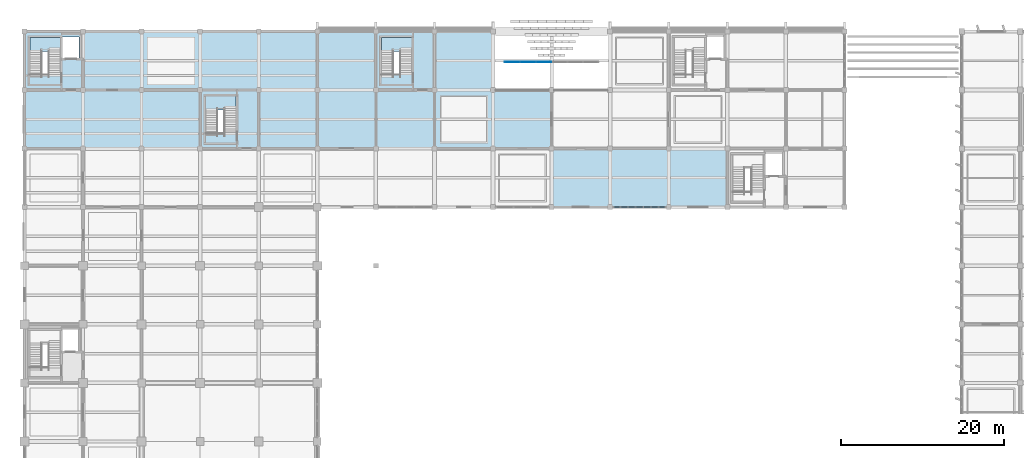
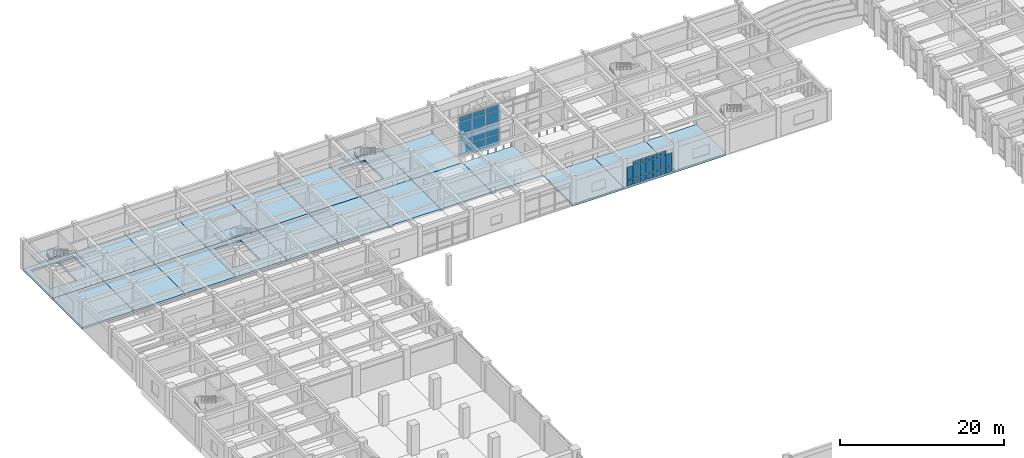
# One storey, part 46 of 81: 31 plates, 23 slabs, 5 elements without a shape of their own.
"""IFC4 building model written with IfcOpenShell, lengths in metres."""

from ifc_helpers import new_model, si_unit, direction, frame, origin, origin_2d, place, context, subcontext, project, spatial, polyline, rectangle, outline, extrude, material, layer, layer_set, type_object, element, aggregate, save


model = new_model("IFC4")

# Units and contexts
model_context = context("Model", 3, precision=1e-05, world=origin(), true_north=direction((0.0, 1.0)))
body_context = subcontext(model_context, "Body", "Model", "MODEL_VIEW")
ifc_project = project(units=[si_unit("LENGTHUNIT", "METRE"), si_unit("AREAUNIT", "SQUARE_METRE"), si_unit("VOLUMEUNIT", "CUBIC_METRE"), si_unit("PLANEANGLEUNIT", "RADIAN"), si_unit("MASSUNIT", "GRAM", prefix="KILO")], contexts=[model_context])

# Site, building, storey
site_placement = place(None, origin())
site = spatial("IfcSite", under=ifc_project, at=site_placement, CompositionType="ELEMENT")
building_placement = place(site_placement, origin())
building = spatial("IfcBuilding", under=site, at=building_placement, Name="Kavelor Marine Aquarium", CompositionType="ELEMENT")
storey_placement = place(building_placement, frame((0.0, 0.0, 4.679931640625)))
storey = spatial("IfcBuildingStorey", under=building, at=storey_placement, Name="L01", CompositionType="ELEMENT", Elevation=4.679931640625)

# Curtain wall, plates
ifc_material_1 = material(Name="Thermally Broken Aluminium and Low-E Glass", Category="aluminium")
ifc_layer_1 = layer(ifc_material_1, 0.283935546875)
ifc_layer_set_1 = layer_set([ifc_layer_1], Name="CW-SYS18")
curtain_wall_type_1 = type_object("IfcCurtainWallType", Name="CW-SYS18", PredefinedType="USERDEFINED", material=ifc_layer_set_1)
curtain_wall_1_placement = place(storey_placement, origin())
curtain_wall_1 = element("IfcCurtainWall", 1, at=curtain_wall_1_placement, inside=storey, type_object=curtain_wall_type_1, Name="cw:portal:north:screen", ObjectType="Curtain Wall", PredefinedType="USERDEFINED")
ifc_material_2 = material(Name="Solar-Control Double Low-E Glazing", Category="glass")
ifc_layer_2 = layer(ifc_material_2, 0.035888671875)
ifc_layer_set_2 = layer_set([ifc_layer_2], Name="CWP-06")
plate_type_1 = type_object("IfcPlateType", Name="CWP-06", PredefinedType="CURTAIN_PANEL", material=ifc_layer_set_2)
plate_1_placement = place(storey_placement, frame((63.181640625, 107.0400390625, -1.925048828125), z_axis=(0.0, 0.0, 1.0), x_axis=(1.0, 0.0, 0.0)))
plate_1 = element("IfcPlate", 2, at=plate_1_placement, type_object=plate_type_1, Name="CW18 panel 1.1", PredefinedType="CURTAIN_PANEL", context=body_context, shape_type="SweptSolid", body=[
    extrude(rectangle(XDim=1.84326171875, YDim=0.035888671875, at=origin_2d()), origin(), (0.0, 0.0, 1.0), 1.6875),
])
plate_2_placement = place(storey_placement, frame((63.181640625, 107.0400390625, -0.16259765625), z_axis=(0.0, 0.0, 1.0), x_axis=(1.0, 0.0, 0.0)))
plate_2 = element("IfcPlate", 3, at=plate_2_placement, type_object=plate_type_1, Name="CW18 panel 1.2", PredefinedType="CURTAIN_PANEL", context=body_context, shape_type="SweptSolid", body=[
    extrude(rectangle(XDim=1.84326171875, YDim=0.035888671875, at=origin_2d()), origin(), (0.0, 0.0, 1.0), 1.72509765625),
])
plate_3_placement = place(storey_placement, frame((63.181640625, 107.0400390625, 1.637451171875), z_axis=(0.0, 0.0, 1.0), x_axis=(1.0, 0.0, 0.0)))
plate_3 = element("IfcPlate", 4, at=plate_3_placement, type_object=plate_type_1, Name="CW18 panel 1.3", PredefinedType="CURTAIN_PANEL", context=body_context, shape_type="SweptSolid", body=[
    extrude(rectangle(XDim=1.84326171875, YDim=0.035888671875, at=origin_2d()), origin(), (0.0, 0.0, 1.0), 1.6650390625),
])
plate_4_placement = place(storey_placement, frame((63.181640625, 107.0400390625, 3.37744140625), z_axis=(0.0, 0.0, 1.0), x_axis=(1.0, 0.0, 0.0)))
plate_4 = element("IfcPlate", 5, at=plate_4_placement, type_object=plate_type_1, Name="CW18 panel 1.4", PredefinedType="CURTAIN_PANEL", context=body_context, shape_type="SweptSolid", body=[
    extrude(rectangle(XDim=1.84326171875, YDim=0.035888671875, at=origin_2d()), origin(), (0.0, 0.0, 1.0), 0.737548828125),
])
plate_5_placement = place(storey_placement, frame((65.10009765625, 107.0400390625, -1.925048828125), z_axis=(0.0, 0.0, 1.0), x_axis=(1.0, 0.0, 0.0)))
plate_5 = element("IfcPlate", 6, at=plate_5_placement, type_object=plate_type_1, Name="CW18 panel 2.1", PredefinedType="CURTAIN_PANEL", context=body_context, shape_type="SweptSolid", body=[
    extrude(rectangle(XDim=1.873291015625, YDim=0.035888671875, at=origin_2d()), origin(), (0.0, 0.0, 1.0), 1.6875),
])
plate_6_placement = place(storey_placement, frame((65.10009765625, 107.0400390625, -0.16259765625), z_axis=(0.0, 0.0, 1.0), x_axis=(1.0, 0.0, 0.0)))
plate_6 = element("IfcPlate", 7, at=plate_6_placement, type_object=plate_type_1, Name="CW18 panel 2.2", PredefinedType="CURTAIN_PANEL", context=body_context, shape_type="SweptSolid", body=[
    extrude(rectangle(XDim=1.873291015625, YDim=0.035888671875, at=origin_2d()), origin(), (0.0, 0.0, 1.0), 1.72509765625),
])
plate_7_placement = place(storey_placement, frame((65.10009765625, 107.0400390625, 1.637451171875), z_axis=(0.0, 0.0, 1.0), x_axis=(1.0, 0.0, 0.0)))
plate_7 = element("IfcPlate", 8, at=plate_7_placement, type_object=plate_type_1, Name="CW18 panel 2.3", PredefinedType="CURTAIN_PANEL", context=body_context, shape_type="SweptSolid", body=[
    extrude(rectangle(XDim=1.873291015625, YDim=0.035888671875, at=origin_2d()), origin(), (0.0, 0.0, 1.0), 1.6650390625),
])
plate_8_placement = place(storey_placement, frame((65.10009765625, 107.0400390625, 3.37744140625), z_axis=(0.0, 0.0, 1.0), x_axis=(1.0, 0.0, 0.0)))
plate_8 = element("IfcPlate", 9, at=plate_8_placement, type_object=plate_type_1, Name="CW18 panel 2.4", PredefinedType="CURTAIN_PANEL", context=body_context, shape_type="SweptSolid", body=[
    extrude(rectangle(XDim=1.873291015625, YDim=0.035888671875, at=origin_2d()), origin(), (0.0, 0.0, 1.0), 0.737548828125),
])
plate_9_placement = place(storey_placement, frame((67.033447265625, 107.0400390625, -1.925048828125), z_axis=(0.0, 0.0, 1.0), x_axis=(1.0, 0.0, 0.0)))
plate_9 = element("IfcPlate", 10, at=plate_9_placement, type_object=plate_type_1, Name="CW18 panel 3.1", PredefinedType="CURTAIN_PANEL", context=body_context, shape_type="SweptSolid", body=[
    extrude(rectangle(XDim=1.873291015625, YDim=0.035888671875, at=origin_2d()), origin(), (0.0, 0.0, 1.0), 1.6875),
])
plate_10_placement = place(storey_placement, frame((67.033447265625, 107.0400390625, -0.16259765625), z_axis=(0.0, 0.0, 1.0), x_axis=(1.0, 0.0, 0.0)))
plate_10 = element("IfcPlate", 11, at=plate_10_placement, type_object=plate_type_1, Name="CW18 panel 3.2", PredefinedType="CURTAIN_PANEL", context=body_context, shape_type="SweptSolid", body=[
    extrude(rectangle(XDim=1.873291015625, YDim=0.035888671875, at=origin_2d()), origin(), (0.0, 0.0, 1.0), 1.72509765625),
])
plate_11_placement = place(storey_placement, frame((67.033447265625, 107.0400390625, 1.637451171875), z_axis=(0.0, 0.0, 1.0), x_axis=(1.0, 0.0, 0.0)))
plate_11 = element("IfcPlate", 12, at=plate_11_placement, type_object=plate_type_1, Name="CW18 panel 3.3", PredefinedType="CURTAIN_PANEL", context=body_context, shape_type="SweptSolid", body=[
    extrude(rectangle(XDim=1.873291015625, YDim=0.035888671875, at=origin_2d()), origin(), (0.0, 0.0, 1.0), 1.6650390625),
])
plate_12_placement = place(storey_placement, frame((67.033447265625, 107.0400390625, 3.37744140625), z_axis=(0.0, 0.0, 1.0), x_axis=(1.0, 0.0, 0.0)))
plate_12 = element("IfcPlate", 13, at=plate_12_placement, type_object=plate_type_1, Name="CW18 panel 3.4", PredefinedType="CURTAIN_PANEL", context=body_context, shape_type="SweptSolid", body=[
    extrude(rectangle(XDim=1.873291015625, YDim=0.035888671875, at=origin_2d()), origin(), (0.0, 0.0, 1.0), 0.737548828125),
])
aggregate(curtain_wall_1, [plate_1, plate_2, plate_3, plate_4, plate_5, plate_6, plate_7, plate_8, plate_9, plate_10, plate_11, plate_12])

ifc_material_3 = material(Name="Thermally Broken Aluminium and Low-E Glass", Category="aluminium")
ifc_layer_3 = layer(ifc_material_3, 0.14794921875)
ifc_layer_set_3 = layer_set([ifc_layer_3], Name="CW-SYS1")
curtain_wall_type_2 = type_object("IfcCurtainWallType", Name="CW-SYS1", PredefinedType="USERDEFINED", material=ifc_layer_set_3)
curtain_wall_2_placement = place(storey_placement, origin())
curtain_wall_2 = element("IfcCurtainWall", 14, at=curtain_wall_2_placement, inside=storey, type_object=curtain_wall_type_2, Name="cw:x:L01:10_12", ObjectType="Curtain Wall", PredefinedType="USERDEFINED")
ifc_material_4 = material(Name="Solar-Control Double Low-E Glazing", Category="glass")
ifc_layer_4 = layer(ifc_material_4, 0.073974609375)
ifc_layer_set_4 = layer_set([ifc_layer_4], Name="CWP-25")
plate_type_2 = type_object("IfcPlateType", Name="CWP-25", PredefinedType="CURTAIN_PANEL", material=ifc_layer_set_4)
plate_13_placement = place(storey_placement, frame((81.5712890625, 89.199951171875, 0.074951171875), z_axis=(0.0, 0.0, 1.0), x_axis=(-1.0, 0.0, 0.0)))
plate_13 = element("IfcPlate", 15, at=plate_13_placement, type_object=plate_type_2, Name="CW01 panel 1.1", PredefinedType="CURTAIN_PANEL", context=body_context, shape_type="SweptSolid", body=[
    extrude(rectangle(XDim=0.8173828125, YDim=0.073974609375, at=origin_2d()), origin(), (0.0, 0.0, 1.0), 0.78759765625),
])
plate_14_placement = place(storey_placement, frame((81.5712890625, 89.199951171875, 0.9375), z_axis=(0.0, 0.0, 1.0), x_axis=(-1.0, 0.0, 0.0)))
plate_14 = element("IfcPlate", 16, at=plate_14_placement, type_object=plate_type_2, Name="CW01 panel 1.2", PredefinedType="CURTAIN_PANEL", context=body_context, shape_type="SweptSolid", body=[
    extrude(rectangle(XDim=0.8173828125, YDim=0.073974609375, at=origin_2d()), origin(), (0.0, 0.0, 1.0), 1.864990234375),
])
plate_15_placement = place(storey_placement, frame((80.659912109375, 89.199951171875, 0.074951171875), z_axis=(0.0, 0.0, 1.0), x_axis=(-1.0, 0.0, 0.0)))
plate_15 = element("IfcPlate", 17, at=plate_15_placement, type_object=plate_type_2, Name="CW01 panel 2.1", PredefinedType="CURTAIN_PANEL", context=body_context, shape_type="SweptSolid", body=[
    extrude(rectangle(XDim=0.85498046875, YDim=0.073974609375, at=origin_2d()), origin(), (0.0, 0.0, 1.0), 0.78759765625),
])
plate_16_placement = place(storey_placement, frame((80.659912109375, 89.199951171875, 0.9375), z_axis=(0.0, 0.0, 1.0), x_axis=(-1.0, 0.0, 0.0)))
plate_16 = element("IfcPlate", 18, at=plate_16_placement, type_object=plate_type_2, Name="CW01 panel 2.2", PredefinedType="CURTAIN_PANEL", context=body_context, shape_type="SweptSolid", body=[
    extrude(rectangle(XDim=0.85498046875, YDim=0.073974609375, at=origin_2d()), origin(), (0.0, 0.0, 1.0), 1.864990234375),
])
plate_17_placement = place(storey_placement, frame((80.659912109375, 89.199951171875, 2.87744140625), z_axis=(0.0, 0.0, 1.0), x_axis=(-1.0, 0.0, 0.0)))
plate_17 = element("IfcPlate", 19, at=plate_17_placement, type_object=plate_type_2, Name="CW01 panel 2.3", PredefinedType="CURTAIN_PANEL", context=body_context, shape_type="SweptSolid", body=[
    extrude(rectangle(XDim=0.85498046875, YDim=0.073974609375, at=origin_2d()), origin(), (0.0, 0.0, 1.0), 0.53759765625),
])
plate_18_placement = place(storey_placement, frame((79.72998046875, 89.199951171875, 0.074951171875), z_axis=(0.0, 0.0, 1.0), x_axis=(-1.0, 0.0, 0.0)))
plate_18 = element("IfcPlate", 20, at=plate_18_placement, type_object=plate_type_2, Name="CW01 panel 3.1", PredefinedType="CURTAIN_PANEL", context=body_context, shape_type="SweptSolid", body=[
    extrude(rectangle(XDim=0.85498046875, YDim=0.073974609375, at=origin_2d()), origin(), (0.0, 0.0, 1.0), 0.78759765625),
])
plate_19_placement = place(storey_placement, frame((79.72998046875, 89.199951171875, 0.9375), z_axis=(0.0, 0.0, 1.0), x_axis=(-1.0, 0.0, 0.0)))
plate_19 = element("IfcPlate", 21, at=plate_19_placement, type_object=plate_type_2, Name="CW01 panel 3.2", PredefinedType="CURTAIN_PANEL", context=body_context, shape_type="SweptSolid", body=[
    extrude(rectangle(XDim=0.85498046875, YDim=0.073974609375, at=origin_2d()), origin(), (0.0, 0.0, 1.0), 1.864990234375),
])
plate_20_placement = place(storey_placement, frame((79.72998046875, 89.199951171875, 2.87744140625), z_axis=(0.0, 0.0, 1.0), x_axis=(-1.0, 0.0, 0.0)))
plate_20 = element("IfcPlate", 22, at=plate_20_placement, type_object=plate_type_2, Name="CW01 panel 3.3", PredefinedType="CURTAIN_PANEL", context=body_context, shape_type="SweptSolid", body=[
    extrude(rectangle(XDim=0.85498046875, YDim=0.073974609375, at=origin_2d()), origin(), (0.0, 0.0, 1.0), 0.53759765625),
])
plate_21_placement = place(storey_placement, frame((78.800048828125, 89.199951171875, 0.074951171875), z_axis=(0.0, 0.0, 1.0), x_axis=(-1.0, 0.0, 0.0)))
plate_21 = element("IfcPlate", 23, at=plate_21_placement, type_object=plate_type_2, Name="CW01 panel 4.1", PredefinedType="CURTAIN_PANEL", context=body_context, shape_type="SweptSolid", body=[
    extrude(rectangle(XDim=0.85498046875, YDim=0.073974609375, at=origin_2d()), origin(), (0.0, 0.0, 1.0), 0.78759765625),
])
plate_22_placement = place(storey_placement, frame((78.800048828125, 89.199951171875, 0.9375), z_axis=(0.0, 0.0, 1.0), x_axis=(-1.0, 0.0, 0.0)))
plate_22 = element("IfcPlate", 24, at=plate_22_placement, type_object=plate_type_2, Name="CW01 panel 4.2", PredefinedType="CURTAIN_PANEL", context=body_context, shape_type="SweptSolid", body=[
    extrude(rectangle(XDim=0.85498046875, YDim=0.073974609375, at=origin_2d()), origin(), (0.0, 0.0, 1.0), 1.864990234375),
])
plate_23_placement = place(storey_placement, frame((78.800048828125, 89.199951171875, 2.87744140625), z_axis=(0.0, 0.0, 1.0), x_axis=(-1.0, 0.0, 0.0)))
plate_23 = element("IfcPlate", 25, at=plate_23_placement, type_object=plate_type_2, Name="CW01 panel 4.3", PredefinedType="CURTAIN_PANEL", context=body_context, shape_type="SweptSolid", body=[
    extrude(rectangle(XDim=0.85498046875, YDim=0.073974609375, at=origin_2d()), origin(), (0.0, 0.0, 1.0), 0.53759765625),
])
plate_24_placement = place(storey_placement, frame((77.8701171875, 89.199951171875, 0.074951171875), z_axis=(0.0, 0.0, 1.0), x_axis=(-1.0, 0.0, 0.0)))
plate_24 = element("IfcPlate", 26, at=plate_24_placement, type_object=plate_type_2, Name="CW01 panel 5.1", PredefinedType="CURTAIN_PANEL", context=body_context, shape_type="SweptSolid", body=[
    extrude(rectangle(XDim=0.85498046875, YDim=0.073974609375, at=origin_2d()), origin(), (0.0, 0.0, 1.0), 0.78759765625),
])
plate_25_placement = place(storey_placement, frame((77.8701171875, 89.199951171875, 0.9375), z_axis=(0.0, 0.0, 1.0), x_axis=(-1.0, 0.0, 0.0)))
plate_25 = element("IfcPlate", 27, at=plate_25_placement, type_object=plate_type_2, Name="CW01 panel 5.2", PredefinedType="CURTAIN_PANEL", context=body_context, shape_type="SweptSolid", body=[
    extrude(rectangle(XDim=0.85498046875, YDim=0.073974609375, at=origin_2d()), origin(), (0.0, 0.0, 1.0), 1.864990234375),
])
plate_26_placement = place(storey_placement, frame((77.8701171875, 89.199951171875, 2.87744140625), z_axis=(0.0, 0.0, 1.0), x_axis=(-1.0, 0.0, 0.0)))
plate_26 = element("IfcPlate", 28, at=plate_26_placement, type_object=plate_type_2, Name="CW01 panel 5.3", PredefinedType="CURTAIN_PANEL", context=body_context, shape_type="SweptSolid", body=[
    extrude(rectangle(XDim=0.85498046875, YDim=0.073974609375, at=origin_2d()), origin(), (0.0, 0.0, 1.0), 0.53759765625),
])
plate_27_placement = place(storey_placement, frame((76.93994140625, 89.199951171875, 0.074951171875), z_axis=(0.0, 0.0, 1.0), x_axis=(-1.0, 0.0, 0.0)))
plate_27 = element("IfcPlate", 29, at=plate_27_placement, type_object=plate_type_2, Name="CW01 panel 6.1", PredefinedType="CURTAIN_PANEL", context=body_context, shape_type="SweptSolid", body=[
    extrude(rectangle(XDim=0.85498046875, YDim=0.073974609375, at=origin_2d()), origin(), (0.0, 0.0, 1.0), 0.78759765625),
])
plate_28_placement = place(storey_placement, frame((76.93994140625, 89.199951171875, 0.9375), z_axis=(0.0, 0.0, 1.0), x_axis=(-1.0, 0.0, 0.0)))
plate_28 = element("IfcPlate", 30, at=plate_28_placement, type_object=plate_type_2, Name="CW01 panel 6.2", PredefinedType="CURTAIN_PANEL", context=body_context, shape_type="SweptSolid", body=[
    extrude(rectangle(XDim=0.85498046875, YDim=0.073974609375, at=origin_2d()), origin(), (0.0, 0.0, 1.0), 1.864990234375),
])
plate_29_placement = place(storey_placement, frame((76.93994140625, 89.199951171875, 2.87744140625), z_axis=(0.0, 0.0, 1.0), x_axis=(-1.0, 0.0, 0.0)))
plate_29 = element("IfcPlate", 31, at=plate_29_placement, type_object=plate_type_2, Name="CW01 panel 6.3", PredefinedType="CURTAIN_PANEL", context=body_context, shape_type="SweptSolid", body=[
    extrude(rectangle(XDim=0.85498046875, YDim=0.073974609375, at=origin_2d()), origin(), (0.0, 0.0, 1.0), 0.53759765625),
])
plate_30_placement = place(storey_placement, frame((76.02880859375, 89.199951171875, 0.074951171875), z_axis=(0.0, 0.0, 1.0), x_axis=(-1.0, 0.0, 0.0)))
plate_30 = element("IfcPlate", 32, at=plate_30_placement, type_object=plate_type_2, Name="CW01 panel 7.1", PredefinedType="CURTAIN_PANEL", context=body_context, shape_type="SweptSolid", body=[
    extrude(rectangle(XDim=0.8173828125, YDim=0.073974609375, at=origin_2d()), origin(), (0.0, 0.0, 1.0), 0.78759765625),
])
plate_31_placement = place(storey_placement, frame((76.02880859375, 89.199951171875, 0.9375), z_axis=(0.0, 0.0, 1.0), x_axis=(-1.0, 0.0, 0.0)))
plate_31 = element("IfcPlate", 33, at=plate_31_placement, type_object=plate_type_2, Name="CW01 panel 7.2", PredefinedType="CURTAIN_PANEL", context=body_context, shape_type="SweptSolid", body=[
    extrude(rectangle(XDim=0.8173828125, YDim=0.073974609375, at=origin_2d()), origin(), (0.0, 0.0, 1.0), 1.864990234375),
])
aggregate(curtain_wall_2, [plate_13, plate_14, plate_15, plate_16, plate_17, plate_18, plate_19, plate_20, plate_21, plate_22, plate_23, plate_24, plate_25, plate_26, plate_27, plate_28, plate_29, plate_30, plate_31])

# Stair, slab
ifc_material_5 = material(Name="Concrete C40/50", Category="concrete")
stair_type = type_object("IfcStairType", Name="ST-T2", PredefinedType="HALF_TURN_STAIR", material=ifc_material_5)
stair_1_placement = place(storey_placement, origin())
stair_1 = element("IfcStair", 34, at=stair_1_placement, inside=storey, type_object=stair_type, Name="Exit Stair ST01 (L01)", PredefinedType="HALF_TURN_STAIR")
ifc_material_6 = material(Name="Concrete C40/50", Category="concrete")
ifc_layer_5 = layer(ifc_material_6, 0.199951171875)
ifc_layer_set_5 = layer_set([ifc_layer_5], Name="LND-T2")
slab_type_1 = type_object("IfcSlabType", Name="LND-T2", PredefinedType="LANDING", material=ifc_layer_set_5)
slab_1_placement = place(storey_placement, frame((0.0, 0.0, 2.050048828125)))
slab_1 = element("IfcSlab", 35, at=slab_1_placement, type_object=slab_type_1, Name="ST01 landing 1", PredefinedType="LANDING", context=body_context, shape_type="SweptSolid", body=[
    extrude(outline(polyline([(3.860107421875, 108.340087890625), (7.6201171875, 108.340087890625), (7.6201171875, 110.06005859375), (3.860107421875, 110.06005859375), (3.860107421875, 108.340087890625)])), origin(), (0.0, 0.0, 1.0), 0.199951171875),
])
aggregate(stair_1, [slab_1])

stair_2_placement = place(storey_placement, origin())
stair_2 = element("IfcStair", 36, at=stair_2_placement, inside=storey, type_object=stair_type, Name="Exit Stair ST02 (L01)", PredefinedType="HALF_TURN_STAIR")
slab_2_placement = place(storey_placement, frame((0.0, 0.0, 2.050048828125)))
slab_2 = element("IfcSlab", 37, at=slab_2_placement, type_object=slab_type_1, Name="ST02 landing 1", PredefinedType="LANDING", context=body_context, shape_type="SweptSolid", body=[
    extrude(outline(polyline([(25.4599609375, 101.139892578125), (29.219970703125, 101.139892578125), (29.219970703125, 102.860107421875), (25.4599609375, 102.860107421875), (25.4599609375, 101.139892578125)])), origin(), (0.0, 0.0, 1.0), 0.199951171875),
])
aggregate(stair_2, [slab_2])

stair_3_placement = place(storey_placement, origin())
stair_3 = element("IfcStair", 38, at=stair_3_placement, inside=storey, type_object=stair_type, Name="Exit Stair ST05 (L01)", PredefinedType="HALF_TURN_STAIR")
slab_3_placement = place(storey_placement, frame((0.0, 0.0, 2.050048828125)))
slab_3 = element("IfcSlab", 39, at=slab_3_placement, type_object=slab_type_1, Name="ST05 landing 1", PredefinedType="LANDING", context=body_context, shape_type="SweptSolid", body=[
    extrude(outline(polyline([(47.06005859375, 108.340087890625), (50.820068359375, 108.340087890625), (50.820068359375, 110.06005859375), (47.06005859375, 110.06005859375), (47.06005859375, 108.340087890625)])), origin(), (0.0, 0.0, 1.0), 0.199951171875),
])
aggregate(stair_3, [slab_3])

# Slabs
ifc_material_7 = material(Name="Concrete C40/50", Category="concrete")
ifc_layer_6 = layer(ifc_material_7, 0.300048828125)
ifc_layer_set_6 = layer_set([ifc_layer_6], Name="SL-FL1")
slab_type_2 = type_object("IfcSlabType", Name="SL-FL1", PredefinedType="FLOOR", material=ifc_layer_set_6)
slab_4_placement = place(storey_placement, frame((0.0, 0.0, -0.300048828125)))
element("IfcSlab", 40, at=slab_4_placement, inside=storey, type_object=slab_type_2, Name="slab:L01:00_13", PredefinedType="FLOOR", context=body_context, shape_type="SweptSolid", body=[
    extrude(outline(polyline([(3.199951171875, 96.39990234375), (10.39990234375, 96.39990234375), (10.39990234375, 103.60009765625), (3.199951171875, 103.60009765625), (3.199951171875, 96.39990234375)])), origin(), (0.0, 0.0, 1.0), 0.300048828125),
])
slab_5_placement = place(storey_placement, frame((0.0, 0.0, -0.300048828125)))
element("IfcSlab", 41, at=slab_5_placement, inside=storey, type_object=slab_type_2, Name="slab:L01:00_14", PredefinedType="FLOOR", context=body_context, shape_type="SweptSolid", body=[
    extrude(outline(polyline([(3.199951171875, 103.60009765625), (10.39990234375, 103.60009765625), (10.39990234375, 110.800048828125), (3.199951171875, 110.800048828125), (3.199951171875, 103.60009765625)]), holes=[polyline([(3.8798828125, 105.48291015625), (7.60009765625, 105.48291015625), (7.60009765625, 110.070068359375), (3.8798828125, 110.070068359375), (3.8798828125, 105.48291015625)]), polyline([(7.860107421875, 107.449951171875), (9.89990234375, 107.449951171875), (9.89990234375, 110.14990234375), (7.800048828125, 110.14990234375), (7.860107421875, 107.449951171875)])]), origin(), (0.0, 0.0, 1.0), 0.300048828125),
])
slab_6_placement = place(storey_placement, frame((0.0, 0.0, -0.300048828125)))
element("IfcSlab", 42, at=slab_6_placement, inside=storey, type_object=slab_type_2, Name="slab:L01:01_13", PredefinedType="FLOOR", context=body_context, shape_type="SweptSolid", body=[
    extrude(outline(polyline([(10.39990234375, 96.39990234375), (17.60009765625, 96.39990234375), (17.60009765625, 103.60009765625), (10.39990234375, 103.60009765625), (10.39990234375, 96.39990234375)])), origin(), (0.0, 0.0, 1.0), 0.300048828125),
])
slab_7_placement = place(storey_placement, frame((0.0, 0.0, -0.300048828125)))
element("IfcSlab", 43, at=slab_7_placement, inside=storey, type_object=slab_type_2, Name="slab:L01:01_14", PredefinedType="FLOOR", context=body_context, shape_type="SweptSolid", body=[
    extrude(outline(polyline([(10.39990234375, 103.60009765625), (17.60009765625, 103.60009765625), (17.60009765625, 110.800048828125), (10.39990234375, 110.800048828125), (10.39990234375, 103.60009765625)])), origin(), (0.0, 0.0, 1.0), 0.300048828125),
])
slab_8_placement = place(storey_placement, frame((0.0, 0.0, -0.300048828125)))
element("IfcSlab", 44, at=slab_8_placement, inside=storey, type_object=slab_type_2, Name="slab:L01:02_13", PredefinedType="FLOOR", context=body_context, shape_type="SweptSolid", body=[
    extrude(outline(polyline([(17.60009765625, 96.39990234375), (24.800048828125, 96.39990234375), (24.800048828125, 103.60009765625), (17.60009765625, 103.60009765625), (17.60009765625, 96.39990234375)])), origin(), (0.0, 0.0, 1.0), 0.300048828125),
])
slab_9_placement = place(storey_placement, frame((0.0, 0.0, -0.300048828125)))
element("IfcSlab", 45, at=slab_9_placement, inside=storey, type_object=slab_type_2, Name="slab:L01:02_14", PredefinedType="FLOOR", context=body_context, shape_type="SweptSolid", body=[
    extrude(outline(polyline([(17.60009765625, 103.60009765625), (24.800048828125, 103.60009765625), (24.800048828125, 110.800048828125), (17.60009765625, 110.800048828125), (17.60009765625, 103.60009765625)])), origin(), (0.0, 0.0, 1.0), 0.300048828125),
])
slab_10_placement = place(storey_placement, frame((0.0, 0.0, -0.300048828125)))
element("IfcSlab", 46, at=slab_10_placement, inside=storey, type_object=slab_type_2, Name="slab:L01:03_13", PredefinedType="FLOOR", context=body_context, shape_type="SweptSolid", body=[
    extrude(outline(polyline([(24.800048828125, 96.39990234375), (32.0, 96.39990234375), (32.0, 103.60009765625), (24.800048828125, 103.60009765625), (24.800048828125, 96.39990234375)]), holes=[polyline([(25.47998046875, 98.282958984375), (29.199951171875, 98.282958984375), (29.199951171875, 102.8701171875), (25.47998046875, 102.8701171875), (25.47998046875, 98.282958984375)])]), origin(), (0.0, 0.0, 1.0), 0.300048828125),
])
slab_11_placement = place(storey_placement, frame((0.0, 0.0, -0.300048828125)))
element("IfcSlab", 47, at=slab_11_placement, inside=storey, type_object=slab_type_2, Name="slab:L01:03_14", PredefinedType="FLOOR", context=body_context, shape_type="SweptSolid", body=[
    extrude(outline(polyline([(24.800048828125, 103.60009765625), (32.0, 103.60009765625), (32.0, 110.800048828125), (24.800048828125, 110.800048828125), (24.800048828125, 103.60009765625)])), origin(), (0.0, 0.0, 1.0), 0.300048828125),
])
slab_12_placement = place(storey_placement, frame((0.0, 0.0, -0.300048828125)))
element("IfcSlab", 48, at=slab_12_placement, inside=storey, type_object=slab_type_2, Name="slab:L01:04_13", PredefinedType="FLOOR", context=body_context, shape_type="SweptSolid", body=[
    extrude(outline(polyline([(32.0, 96.39990234375), (39.199951171875, 96.39990234375), (39.199951171875, 103.60009765625), (32.0, 103.60009765625), (32.0, 96.39990234375)])), origin(), (0.0, 0.0, 1.0), 0.300048828125),
])
slab_13_placement = place(storey_placement, frame((0.0, 0.0, -0.300048828125)))
element("IfcSlab", 49, at=slab_13_placement, inside=storey, type_object=slab_type_2, Name="slab:L01:04_14", PredefinedType="FLOOR", context=body_context, shape_type="SweptSolid", body=[
    extrude(outline(polyline([(32.0, 103.60009765625), (39.199951171875, 103.60009765625), (39.199951171875, 110.800048828125), (32.0, 110.800048828125), (32.0, 103.60009765625)])), origin(), (0.0, 0.0, 1.0), 0.300048828125),
])
slab_14_placement = place(storey_placement, frame((0.0, 0.0, -0.300048828125)))
element("IfcSlab", 50, at=slab_14_placement, inside=storey, type_object=slab_type_2, Name="slab:L01:05_13", PredefinedType="FLOOR", context=body_context, shape_type="SweptSolid", body=[
    extrude(outline(polyline([(39.199951171875, 96.39990234375), (46.39990234375, 96.39990234375), (46.39990234375, 103.60009765625), (39.199951171875, 103.60009765625), (39.199951171875, 96.39990234375)])), origin(), (0.0, 0.0, 1.0), 0.300048828125),
])
slab_15_placement = place(storey_placement, frame((0.0, 0.0, -0.300048828125)))
element("IfcSlab", 51, at=slab_15_placement, inside=storey, type_object=slab_type_2, Name="slab:L01:05_14", PredefinedType="FLOOR", context=body_context, shape_type="SweptSolid", body=[
    extrude(outline(polyline([(39.199951171875, 103.60009765625), (46.39990234375, 103.60009765625), (46.39990234375, 110.800048828125), (39.199951171875, 110.800048828125), (39.199951171875, 103.60009765625)])), origin(), (0.0, 0.0, 1.0), 0.300048828125),
])
slab_16_placement = place(storey_placement, frame((0.0, 0.0, -0.300048828125)))
element("IfcSlab", 52, at=slab_16_placement, inside=storey, type_object=slab_type_2, Name="slab:L01:06_13", PredefinedType="FLOOR", context=body_context, shape_type="SweptSolid", body=[
    extrude(outline(polyline([(46.39990234375, 96.39990234375), (53.60009765625, 96.39990234375), (53.60009765625, 103.60009765625), (46.39990234375, 103.60009765625), (46.39990234375, 96.39990234375)])), origin(), (0.0, 0.0, 1.0), 0.300048828125),
])
slab_17_placement = place(storey_placement, frame((0.0, 0.0, -0.300048828125)))
element("IfcSlab", 53, at=slab_17_placement, inside=storey, type_object=slab_type_2, Name="slab:L01:06_14", PredefinedType="FLOOR", context=body_context, shape_type="SweptSolid", body=[
    extrude(outline(polyline([(46.39990234375, 103.60009765625), (53.60009765625, 103.60009765625), (53.60009765625, 110.800048828125), (46.39990234375, 110.800048828125), (46.39990234375, 103.60009765625)]), holes=[polyline([(47.080078125, 105.48291015625), (50.800048828125, 105.48291015625), (50.800048828125, 110.070068359375), (47.080078125, 110.070068359375), (47.080078125, 105.48291015625)])]), origin(), (0.0, 0.0, 1.0), 0.300048828125),
])
slab_18_placement = place(storey_placement, frame((0.0, 0.0, -0.300048828125)))
element("IfcSlab", 54, at=slab_18_placement, inside=storey, type_object=slab_type_2, Name="slab:L01:07_13", PredefinedType="FLOOR", context=body_context, shape_type="SweptSolid", body=[
    extrude(outline(polyline([(53.60009765625, 96.39990234375), (60.800048828125, 96.39990234375), (60.800048828125, 103.60009765625), (53.60009765625, 103.60009765625), (53.60009765625, 96.39990234375)])), origin(), (0.0, 0.0, 1.0), 0.300048828125),
])
slab_19_placement = place(storey_placement, frame((0.0, 0.0, -0.300048828125)))
element("IfcSlab", 55, at=slab_19_placement, inside=storey, type_object=slab_type_2, Name="slab:L01:07_14", PredefinedType="FLOOR", context=body_context, shape_type="SweptSolid", body=[
    extrude(outline(polyline([(53.60009765625, 103.60009765625), (60.800048828125, 103.60009765625), (60.800048828125, 110.800048828125), (53.60009765625, 110.800048828125), (53.60009765625, 103.60009765625)])), origin(), (0.0, 0.0, 1.0), 0.300048828125),
])
slab_20_placement = place(storey_placement, frame((0.0, 0.0, -0.300048828125)))
element("IfcSlab", 56, at=slab_20_placement, inside=storey, type_object=slab_type_2, Name="slab:L01:08_13", PredefinedType="FLOOR", context=body_context, shape_type="SweptSolid", body=[
    extrude(outline(polyline([(60.800048828125, 96.39990234375), (68.0, 96.39990234375), (68.0, 103.60009765625), (60.800048828125, 103.60009765625), (60.800048828125, 96.39990234375)])), origin(), (0.0, 0.0, 1.0), 0.300048828125),
])
slab_21_placement = place(storey_placement, frame((0.0, 0.0, -0.300048828125)))
element("IfcSlab", 57, at=slab_21_placement, inside=storey, type_object=slab_type_2, Name="slab:L01:09_12", PredefinedType="FLOOR", context=body_context, shape_type="SweptSolid", body=[
    extrude(outline(polyline([(68.0, 89.199951171875), (75.199951171875, 89.199951171875), (75.199951171875, 96.39990234375), (68.0, 96.39990234375), (68.0, 89.199951171875)])), origin(), (0.0, 0.0, 1.0), 0.300048828125),
])
slab_22_placement = place(storey_placement, frame((0.0, 0.0, -0.300048828125)))
element("IfcSlab", 58, at=slab_22_placement, inside=storey, type_object=slab_type_2, Name="slab:L01:10_12", PredefinedType="FLOOR", context=body_context, shape_type="SweptSolid", body=[
    extrude(outline(polyline([(75.199951171875, 89.199951171875), (82.39990234375, 89.199951171875), (82.39990234375, 96.39990234375), (75.199951171875, 96.39990234375), (75.199951171875, 89.199951171875)])), origin(), (0.0, 0.0, 1.0), 0.300048828125),
])
slab_23_placement = place(storey_placement, frame((0.0, 0.0, -0.300048828125)))
element("IfcSlab", 59, at=slab_23_placement, inside=storey, type_object=slab_type_2, Name="slab:L01:11_12", PredefinedType="FLOOR", context=body_context, shape_type="SweptSolid", body=[
    extrude(outline(polyline([(82.39990234375, 89.199951171875), (89.60009765625, 89.199951171875), (89.60009765625, 96.39990234375), (82.39990234375, 96.39990234375), (82.39990234375, 89.199951171875)])), origin(), (0.0, 0.0, 1.0), 0.300048828125),
])

save(model, "model.ifc")
